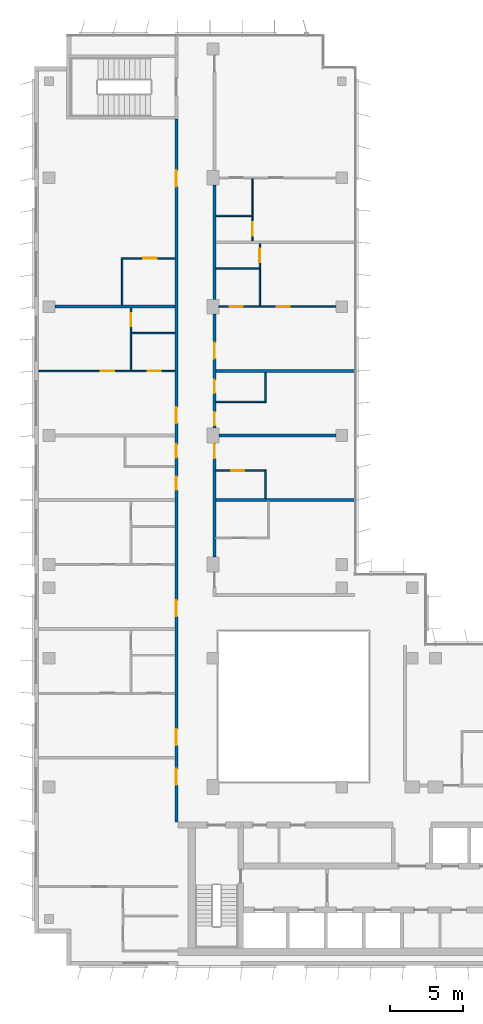
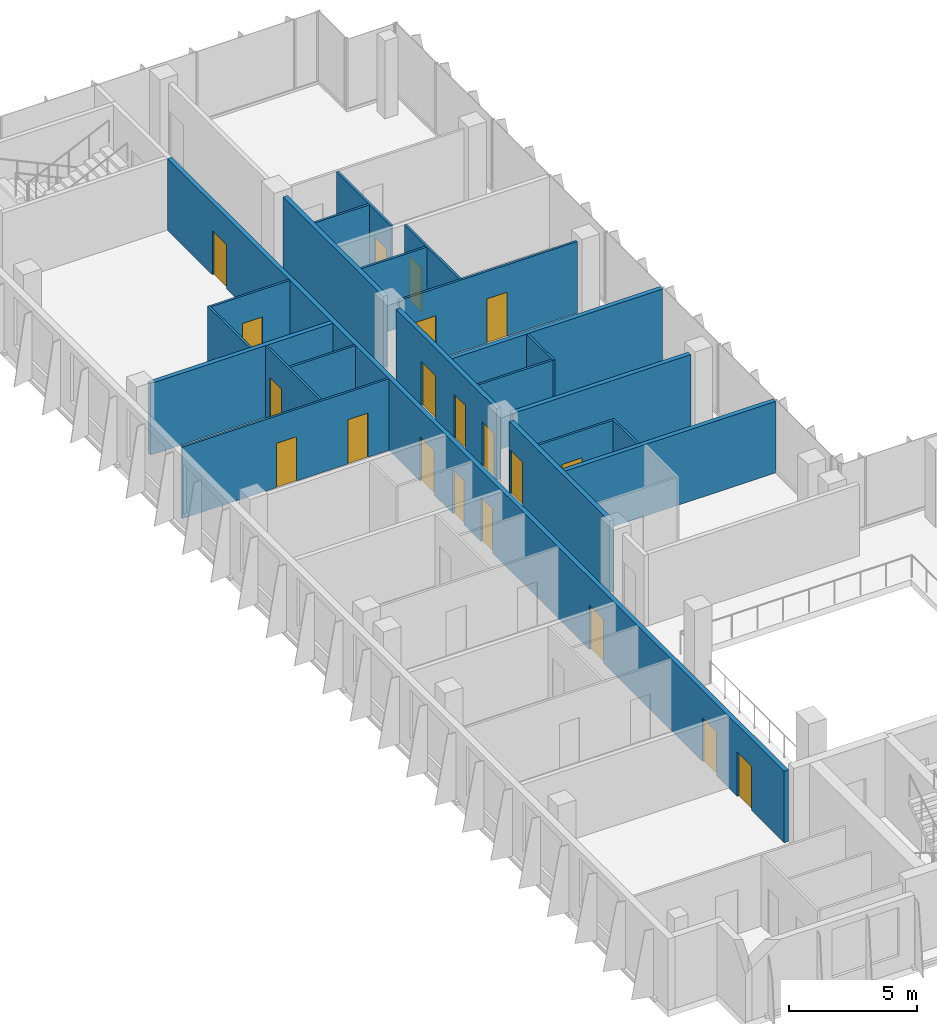
# One storey, part 12 of 16: 22 walls, 20 doors, 20 openings.
"""IFC4 building model written with IfcOpenShell, lengths in metres."""

import ifcopenshell
import ifcopenshell.guid

model = None  # the IFC model being written
_history = None  # IfcOwnerHistory: only IFC2X3 demands one
_inside = {}  # id of a spatial element -> (the spatial element, [elements in it])
_under = {}  # id of a project, library or spatial element -> (it, [spatial elements below it])
_declared = {}  # id of a project -> (the project, [libraries it declares])
_typed = {}  # id of a type object -> (the type object, [elements of that type])
_made_of = {}  # id of a material, layer set ... -> (it, [elements and type objects made of it])


def new_model(schema):
    """Start an empty IFC model of exactly this schema.

    Asked for "IFC4X3", IfcOpenShell would pick the latest addendum, in which some entities
    have other attributes; the version numbers below select the first issue.
    IFC2X3 requires an IfcOwnerHistory on every rooted entity: one is made here for all.
    """
    global model, _history
    if schema == "IFC4X3":
        model = ifcopenshell.file(schema_version=(4, 3, 0, 0))
    else:
        model = ifcopenshell.file(schema=schema)
    _inside.clear()
    _under.clear()
    _declared.clear()
    _typed.clear()
    _made_of.clear()
    _history = None
    if model.schema == "IFC2X3":
        org = make("IfcOrganization", Name="unknown")
        user = make(
            "IfcPersonAndOrganization",
            ThePerson=make("IfcPerson", FamilyName="unknown"),
            TheOrganization=org,
        )
        app = make(
            "IfcApplication",
            ApplicationDeveloper=org,
            Version="unknown",
            ApplicationFullName="unknown",
            ApplicationIdentifier="unknown",
        )
        _history = make(
            "IfcOwnerHistory",
            OwningUser=user,
            OwningApplication=app,
            ChangeAction="ADDED",
            CreationDate=0,
        )
    return model


def make(cls, **values):
    """One entity of the class cls with the attributes given. An attribute that is None is left unset."""
    return model.create_entity(
        cls, **{name: value for name, value in values.items() if value is not None}
    )


def rooted(cls, **values):
    """An entity with a GlobalId (a new one), such as an element, a storey or a relation."""
    return make(cls, GlobalId=ifcopenshell.guid.new(), OwnerHistory=_history, **values)


def si_unit(unit_type, name, prefix=None):
    """IfcSIUnit, for example si_unit("LENGTHUNIT", "METRE", prefix="MILLI")."""
    return make("IfcSIUnit", UnitType=unit_type, Prefix=prefix, Name=name)


def assignment(units):
    """IfcUnitAssignment: the units of a project."""
    return None if units is None else make("IfcUnitAssignment", Units=units)


def point(xyz):
    """IfcCartesianPoint."""
    return None if xyz is None else make("IfcCartesianPoint", Coordinates=xyz)


def direction(xyz):
    """IfcDirection."""
    return None if xyz is None else make("IfcDirection", DirectionRatios=xyz)


def frame(location, z_axis=None, x_axis=None):
    """IfcAxis2Placement3D, a coordinate frame: its origin and axes. An axis left out is left unset."""
    return make(
        "IfcAxis2Placement3D",
        Location=point(location),
        Axis=direction(z_axis),
        RefDirection=direction(x_axis),
    )


def frame_2d(location, x_axis=None):
    """IfcAxis2Placement2D, a coordinate frame in the plane: its origin and x axis."""
    return make(
        "IfcAxis2Placement2D", Location=point(location), RefDirection=direction(x_axis)
    )


def origin():
    """The frame at (0, 0, 0) with its axes left unset."""
    return frame((0.0, 0.0, 0.0))


def place(relative_to, where):
    """IfcLocalPlacement: puts the frame where relative to a parent placement (None: the world)."""
    return make(
        "IfcLocalPlacement", PlacementRelTo=relative_to, RelativePlacement=where
    )


def context(
    kind, dimensions, precision=None, world=None, true_north=None, identifier=None
):
    """IfcGeometricRepresentationContext, for example the 3D "Model" context."""
    return make(
        "IfcGeometricRepresentationContext",
        ContextIdentifier=identifier,
        ContextType=kind,
        CoordinateSpaceDimension=dimensions,
        Precision=precision,
        WorldCoordinateSystem=world,
        TrueNorth=true_north,
    )


def subcontext(parent, identifier, kind, view, scale=None):
    """IfcGeometricRepresentationSubContext, for example "Body" below "Model"."""
    return make(
        "IfcGeometricRepresentationSubContext",
        ContextIdentifier=identifier,
        ContextType=kind,
        ParentContext=parent,
        TargetScale=scale,
        TargetView=view,
    )


def project(units=None, contexts=None):
    """IfcProject with its units and contexts."""
    return rooted(
        "IfcProject",
        Name="project",
        RepresentationContexts=contexts,
        UnitsInContext=assignment(units),
    )


def spatial(cls, under=None, at=None, **own):
    """A site, building, storey or space (cls), placed at a placement, below another one or the project."""
    s = rooted(cls, ObjectPlacement=at, **own)
    if under is not None:
        _under.setdefault(under.id(), (under, []))[1].append(s)
    return s


def profile(cls, at=None, kind="AREA", **sizes):
    """A parametric profile (cls). Its sizes go by their IFC names, for example OverallWidth=200.0."""
    return make(cls, ProfileType=kind, Position=at, **sizes)


def rectangle(**sizes):
    """IfcRectangleProfileDef."""
    return profile("IfcRectangleProfileDef", **sizes)


def extrude(swept, where, along, depth):
    """IfcExtrudedAreaSolid: the profile swept, set in the frame where, extruded along a direction by depth."""
    return make(
        "IfcExtrudedAreaSolid",
        SweptArea=swept,
        Position=where,
        ExtrudedDirection=direction(along),
        Depth=depth,
    )


def shape(context_of_items, identifier, shape_type, items):
    """IfcShapeRepresentation: the items that make up one representation, for example the "Body"."""
    return make(
        "IfcShapeRepresentation",
        ContextOfItems=context_of_items,
        RepresentationIdentifier=identifier,
        RepresentationType=shape_type,
        Items=items,
    )


def material(Name=None, Category=None):
    """IfcMaterial."""
    return make("IfcMaterial", Name=Name, Category=Category)


def layer(
    of_material, thickness, ventilated=None, Name=None, Category=None, Priority=None
):
    """IfcMaterialLayer: one layer of a wall or slab, of a material (None: an air gap)."""
    return make(
        "IfcMaterialLayer",
        Material=of_material,
        LayerThickness=thickness,
        IsVentilated=ventilated,
        Name=Name,
        Category=Category,
        Priority=Priority,
    )


def layer_set(layers, Name=None):
    """IfcMaterialLayerSet."""
    return make("IfcMaterialLayerSet", MaterialLayers=layers, LayerSetName=Name)


def made_of(thing, what):
    """Note that an element or type object is made of a material, layer set ...; save() writes the relation."""
    if what is not None:
        _made_of.setdefault(what.id(), (what, []))[1].append(thing)
    return thing


def type_object(cls, material=None, **own):
    """A type object (cls), such as IfcWallType, which elements share."""
    return made_of(rooted(cls, **own), material)


def element(
    cls,
    number,
    at=None,
    inside=None,
    cuts=None,
    type_object=None,
    material=None,
    context=None,
    identifier="Body",
    shape_type=None,
    held_by="IfcProductDefinitionShape",
    body=None,
    shapes=None,
    **own,
):
    """One element of the class cls, such as IfcWall. Its Tag is "e" and its number.

    at: its placement. inside: the storey or other place that contains it. cuts: it is an
    opening in that element (IfcRelVoidsElement). A single representation is given by context,
    identifier, shape_type and body (its items); several are given by shapes. held_by: the class
    of the entity that holds the representations. save() writes the other relations.
    """
    e = rooted(cls, Tag="e%d" % number, ObjectPlacement=at, **own)
    if body is not None:
        shapes = [shape(context, identifier, shape_type, body)]
    if shapes is not None:
        e.Representation = make(held_by, Representations=shapes)
    if inside is not None:
        _inside.setdefault(inside.id(), (inside, []))[1].append(e)
    if cuts is not None:
        rooted(
            "IfcRelVoidsElement", RelatingBuildingElement=cuts, RelatedOpeningElement=e
        )
    if type_object is not None:
        _typed.setdefault(type_object.id(), (type_object, []))[1].append(e)
    return made_of(e, material)


def fill(opening, filler):
    """IfcRelFillsElement: the door or window that sits in an opening."""
    return rooted(
        "IfcRelFillsElement",
        RelatingOpeningElement=opening,
        RelatedBuildingElement=filler,
    )


def aggregate(whole, parts):
    """IfcRelAggregates: a whole, such as a stair, and the parts it consists of."""
    return rooted("IfcRelAggregates", RelatingObject=whole, RelatedObjects=parts)


def save(model, path):
    """Write the relations noted so far, then the file.

    IfcRelAggregates (storeys below a building ...), IfcRelContainedInSpatialStructure (elements
    in a storey), IfcRelDefinesByType, IfcRelAssociatesMaterial and IfcRelDeclares: one each for
    every whole, place, type object, material and project.
    """
    for whole, parts in _under.values():
        aggregate(whole, parts)
    for where, things in _inside.values():
        rooted(
            "IfcRelContainedInSpatialStructure",
            RelatedElements=things,
            RelatingStructure=where,
        )
    for kind, things in _typed.values():
        rooted("IfcRelDefinesByType", RelatedObjects=things, RelatingType=kind)
    for what, things in _made_of.values():
        rooted("IfcRelAssociatesMaterial", RelatedObjects=things, RelatingMaterial=what)
    for by, libraries in _declared.values():
        rooted("IfcRelDeclares", RelatingContext=by, RelatedDefinitions=libraries)
    model.write(path)


model = new_model("IFC4")

# Units and contexts
model_context = context("Model", 3, precision=1e-05, world=origin(), true_north=direction((0.0, 1.0)))
body_context = subcontext(model_context, "Body", "Model", "MODEL_VIEW")
ifc_project = project(units=[si_unit("LENGTHUNIT", "METRE"), si_unit("AREAUNIT", "SQUARE_METRE"), si_unit("VOLUMEUNIT", "CUBIC_METRE"), si_unit("PLANEANGLEUNIT", "RADIAN"), si_unit("MASSUNIT", "GRAM", prefix="KILO")], contexts=[model_context])

# Site, building, storey
site_placement = place(None, origin())
site = spatial("IfcSite", under=ifc_project, at=site_placement, CompositionType="ELEMENT")
building_placement = place(site_placement, origin())
building = spatial("IfcBuilding", under=site, at=building_placement, Name="Kemantara Hotel Tower", CompositionType="ELEMENT")
storey_placement = place(building_placement, frame((0.0, 0.0, 287.0)))
storey = spatial("IfcBuildingStorey", under=building, at=storey_placement, Name="L72", CompositionType="ELEMENT", Elevation=287.0)

# Wall, openings, doors
ifc_material_1 = material(Name="Gypsum board partition, steel studs and mineral wool, 200 mm", Category="steel")
ifc_layer_1 = layer(ifc_material_1, 0.199951171875)
ifc_layer_set_1 = layer_set([ifc_layer_1], Name="Gypsum board partition, steel studs and mineral wool, 200 mm")
wall_type_1 = type_object("IfcWallType", Name="CORRIDOR WALL 200", PredefinedType="PARTITIONING", material=ifc_layer_set_1)
wall_1_placement = place(storey_placement, frame((9.699951171875, 9.800048828125, 0.0), z_axis=(0.0, 0.0, 1.0), x_axis=(0.0, 1.0, 0.0)))
wall_1 = element("IfcWall", 1, at=wall_1_placement, inside=storey, type_object=wall_type_1, Name="CORRIDOR WALL 200 007", PredefinedType="PARTITIONING", context=body_context, shape_type="SweptSolid", body=[
    extrude(rectangle(XDim=48.0, YDim=0.199951171875, at=frame_2d((24.0, 0.0))), origin(), (0.0, 0.0, 1.0), 3.39990234375),
])
opening_1_placement = place(wall_1_placement, frame((2.550048828125, 0.0, 0.0)))
opening_1 = element("IfcOpeningElement", 2, at=opening_1_placement, cuts=wall_1, Name="Opening F35-009", PredefinedType="OPENING", context=body_context, shape_type="SweptSolid", body=[
    extrude(rectangle(XDim=1.10009765625, YDim=2.10009765625, at=frame_2d((0.550048828125, 1.050048828125))), frame((0.0, 0.10986328125, 0.0), z_axis=(0.0, -1.0, 0.0), x_axis=(1.0, 0.0, 0.0)), (0.0, 0.0, 1.0), 0.219970703125),
])
opening_2_placement = place(wall_1_placement, frame((5.25, 0.0, 0.0)))
opening_2 = element("IfcOpeningElement", 3, at=opening_2_placement, cuts=wall_1, Name="Opening F35-013", PredefinedType="OPENING", context=body_context, shape_type="SweptSolid", body=[
    extrude(rectangle(XDim=1.10009765625, YDim=2.10009765625, at=frame_2d((0.550048828125, 1.050048828125))), frame((0.0, 0.10986328125, 0.0), z_axis=(0.0, -1.0, 0.0), x_axis=(1.0, 0.0, 0.0)), (0.0, 0.0, 1.0), 0.219970703125),
])
opening_3_placement = place(wall_1_placement, frame((14.050048828125, 0.0, 0.0)))
opening_3 = element("IfcOpeningElement", 4, at=opening_3_placement, cuts=wall_1, Name="Opening F35-017", PredefinedType="OPENING", context=body_context, shape_type="SweptSolid", body=[
    extrude(rectangle(XDim=1.10009765625, YDim=2.10009765625, at=frame_2d((0.550048828125, 1.050048828125))), frame((0.0, 0.10986328125, 0.0), z_axis=(0.0, -1.0, 0.0), x_axis=(1.0, 0.0, 0.0)), (0.0, 0.0, 1.0), 0.219970703125),
])
opening_4_placement = place(wall_1_placement, frame((22.699951171875, 0.0, 0.0)))
opening_4 = element("IfcOpeningElement", 5, at=opening_4_placement, cuts=wall_1, Name="Opening F35-021", PredefinedType="OPENING", context=body_context, shape_type="SweptSolid", body=[
    extrude(rectangle(XDim=0.89990234375, YDim=2.10009765625, at=frame_2d((0.449951171875, 1.050048828125))), frame((0.0, 0.10986328125, 0.0), z_axis=(0.0, -1.0, 0.0), x_axis=(1.0, 0.0, 0.0)), (0.0, 0.0, 1.0), 0.219970703125),
])
opening_5_placement = place(wall_1_placement, frame((24.89990234375, 0.0, 0.0)))
opening_5 = element("IfcOpeningElement", 6, at=opening_5_placement, cuts=wall_1, Name="Opening F35-022", PredefinedType="OPENING", context=body_context, shape_type="SweptSolid", body=[
    extrude(rectangle(XDim=0.89990234375, YDim=2.10009765625, at=frame_2d((0.449951171875, 1.050048828125))), frame((0.0, 0.10986328125, 0.0), z_axis=(0.0, -1.0, 0.0), x_axis=(1.0, 0.0, 0.0)), (0.0, 0.0, 1.0), 0.219970703125),
])
opening_6_placement = place(wall_1_placement, frame((27.25, 0.0, 0.0)))
opening_6 = element("IfcOpeningElement", 7, at=opening_6_placement, cuts=wall_1, Name="Opening F35-023", PredefinedType="OPENING", context=body_context, shape_type="SweptSolid", body=[
    extrude(rectangle(XDim=1.10009765625, YDim=2.10009765625, at=frame_2d((0.550048828125, 1.050048828125))), frame((0.0, 0.10986328125, 0.0), z_axis=(0.0, -1.0, 0.0), x_axis=(1.0, 0.0, 0.0)), (0.0, 0.0, 1.0), 0.219970703125),
])
opening_7_placement = place(wall_1_placement, frame((43.39990234375, 0.0, 0.0)))
opening_7 = element("IfcOpeningElement", 8, at=opening_7_placement, cuts=wall_1, Name="Opening F35-027", PredefinedType="OPENING", context=body_context, shape_type="SweptSolid", body=[
    extrude(rectangle(XDim=1.10009765625, YDim=2.10009765625, at=frame_2d((0.550048828125, 1.050048828125))), frame((0.0, 0.10986328125, 0.0), z_axis=(0.0, -1.0, 0.0), x_axis=(1.0, 0.0, 0.0)), (0.0, 0.0, 1.0), 0.219970703125),
])
ifc_material_2 = material(Name="Steel door leaf with steel frame", Category="steel")
door_type_1 = type_object("IfcDoorType", Name="SERVICE ROOM DOOR 900 X 2100 FD60", OperationType="NOTDEFINED", PredefinedType="DOOR", material=ifc_material_2)
door_1_placement = place(opening_4_placement, origin())
door_1 = element("IfcDoor", 9, at=door_1_placement, inside=storey, type_object=door_type_1, Name="SERVICE ROOM DOOR F35-021", OperationType="SINGLE_SWING_LEFT", OverallHeight=2.10009765625, OverallWidth=0.89990234375, PredefinedType="DOOR", context=body_context, shape_type="SweptSolid", body=[
    extrude(rectangle(XDim=0.89990234375, YDim=2.10009765625, at=frame_2d((0.449951171875, 1.050048828125))), frame((0.0, 0.02490234375, 0.0), z_axis=(0.0, -1.0, 0.0), x_axis=(1.0, 0.0, 0.0)), (0.0, 0.0, 1.0), 0.050048828125),
])
fill(opening_4, door_1)
door_2_placement = place(opening_5_placement, origin())
door_2 = element("IfcDoor", 10, at=door_2_placement, inside=storey, type_object=door_type_1, Name="SERVICE ROOM DOOR F35-022", OperationType="SINGLE_SWING_RIGHT", OverallHeight=2.10009765625, OverallWidth=0.89990234375, PredefinedType="DOOR", context=body_context, shape_type="SweptSolid", body=[
    extrude(rectangle(XDim=0.89990234375, YDim=2.10009765625, at=frame_2d((0.449951171875, 1.050048828125))), frame((0.0, 0.02490234375, 0.0), z_axis=(0.0, -1.0, 0.0), x_axis=(1.0, 0.0, 0.0)), (0.0, 0.0, 1.0), 0.050048828125),
])
fill(opening_5, door_2)
ifc_material_3 = material(Name="Hardwood veneer door leaf with steel frame", Category="steel")
door_type_2 = type_object("IfcDoorType", Name="SUITE ENTRANCE DOOR 1100 X 2100 FD30S", OperationType="NOTDEFINED", PredefinedType="DOOR", material=ifc_material_3)
door_3_placement = place(opening_1_placement, origin())
door_3 = element("IfcDoor", 11, at=door_3_placement, inside=storey, type_object=door_type_2, Name="SUITE ENTRANCE DOOR F35-009", OperationType="SINGLE_SWING_RIGHT", OverallHeight=2.10009765625, OverallWidth=1.10009765625, PredefinedType="DOOR", context=body_context, shape_type="SweptSolid", body=[
    extrude(rectangle(XDim=1.10009765625, YDim=2.10009765625, at=frame_2d((0.550048828125, 1.050048828125))), frame((0.0, 0.02490234375, 0.0), z_axis=(0.0, -1.0, 0.0), x_axis=(1.0, 0.0, 0.0)), (0.0, 0.0, 1.0), 0.050048828125),
])
fill(opening_1, door_3)
door_4_placement = place(opening_2_placement, origin())
door_4 = element("IfcDoor", 12, at=door_4_placement, inside=storey, type_object=door_type_2, Name="SUITE ENTRANCE DOOR F35-013", OperationType="SINGLE_SWING_LEFT", OverallHeight=2.10009765625, OverallWidth=1.10009765625, PredefinedType="DOOR", context=body_context, shape_type="SweptSolid", body=[
    extrude(rectangle(XDim=1.10009765625, YDim=2.10009765625, at=frame_2d((0.550048828125, 1.050048828125))), frame((0.0, 0.02490234375, 0.0), z_axis=(0.0, -1.0, 0.0), x_axis=(1.0, 0.0, 0.0)), (0.0, 0.0, 1.0), 0.050048828125),
])
fill(opening_2, door_4)
door_5_placement = place(opening_3_placement, origin())
door_5 = element("IfcDoor", 13, at=door_5_placement, inside=storey, type_object=door_type_2, Name="SUITE ENTRANCE DOOR F35-017", OperationType="SINGLE_SWING_LEFT", OverallHeight=2.10009765625, OverallWidth=1.10009765625, PredefinedType="DOOR", context=body_context, shape_type="SweptSolid", body=[
    extrude(rectangle(XDim=1.10009765625, YDim=2.10009765625, at=frame_2d((0.550048828125, 1.050048828125))), frame((0.0, 0.02490234375, 0.0), z_axis=(0.0, -1.0, 0.0), x_axis=(1.0, 0.0, 0.0)), (0.0, 0.0, 1.0), 0.050048828125),
])
fill(opening_3, door_5)
door_6_placement = place(opening_6_placement, origin())
door_6 = element("IfcDoor", 14, at=door_6_placement, inside=storey, type_object=door_type_2, Name="SUITE ENTRANCE DOOR F35-023", OperationType="SINGLE_SWING_LEFT", OverallHeight=2.10009765625, OverallWidth=1.10009765625, PredefinedType="DOOR", context=body_context, shape_type="SweptSolid", body=[
    extrude(rectangle(XDim=1.10009765625, YDim=2.10009765625, at=frame_2d((0.550048828125, 1.050048828125))), frame((0.0, 0.02490234375, 0.0), z_axis=(0.0, -1.0, 0.0), x_axis=(1.0, 0.0, 0.0)), (0.0, 0.0, 1.0), 0.050048828125),
])
fill(opening_6, door_6)
door_7_placement = place(opening_7_placement, origin())
door_7 = element("IfcDoor", 15, at=door_7_placement, inside=storey, type_object=door_type_2, Name="SUITE ENTRANCE DOOR F35-027", OperationType="SINGLE_SWING_RIGHT", OverallHeight=2.10009765625, OverallWidth=1.10009765625, PredefinedType="DOOR", context=body_context, shape_type="SweptSolid", body=[
    extrude(rectangle(XDim=1.10009765625, YDim=2.10009765625, at=frame_2d((0.550048828125, 1.050048828125))), frame((0.0, 0.02490234375, 0.0), z_axis=(0.0, -1.0, 0.0), x_axis=(1.0, 0.0, 0.0)), (0.0, 0.0, 1.0), 0.050048828125),
])
fill(opening_7, door_7)

# Wall, opening, door
wall_2_placement = place(storey_placement, frame((12.300048828125, 35.699951171875, 0.0), z_axis=(0.0, 0.0, 1.0), x_axis=(0.0, -1.0, 0.0)))
wall_2 = element("IfcWall", 16, at=wall_2_placement, inside=storey, type_object=wall_type_1, Name="CORRIDOR WALL 200 017", PredefinedType="PARTITIONING", context=body_context, shape_type="SweptSolid", body=[
    extrude(rectangle(XDim=7.7998046875, YDim=0.199951171875, at=frame_2d((3.89990234375, 0.0))), origin(), (0.0, 0.0, 1.0), 3.39990234375),
])
opening_8_placement = place(wall_2_placement, frame((0.0498046875, 0.0, 0.0)))
opening_8 = element("IfcOpeningElement", 17, at=opening_8_placement, cuts=wall_2, Name="Opening F35-031", PredefinedType="OPENING", context=body_context, shape_type="SweptSolid", body=[
    extrude(rectangle(XDim=1.0, YDim=2.10009765625, at=frame_2d((0.5, 1.050048828125))), frame((0.0, 0.10986328125, 0.0), z_axis=(0.0, -1.0, 0.0), x_axis=(1.0, 0.0, 0.0)), (0.0, 0.0, 1.0), 0.219970703125),
])
door_type_3 = type_object("IfcDoorType", Name="GUEST ROOM DOOR 1000 X 2100 FD30S", OperationType="NOTDEFINED", PredefinedType="DOOR", material=ifc_material_3)
door_8_placement = place(opening_8_placement, origin())
door_8 = element("IfcDoor", 18, at=door_8_placement, inside=storey, type_object=door_type_3, Name="GUEST ROOM DOOR F35-031", OperationType="SINGLE_SWING_LEFT", OverallHeight=2.10009765625, OverallWidth=1.0, PredefinedType="DOOR", context=body_context, shape_type="SweptSolid", body=[
    extrude(rectangle(XDim=1.0, YDim=2.10009765625, at=frame_2d((0.5, 1.050048828125))), frame((0.0, 0.02490234375, 0.0), z_axis=(0.0, -1.0, 0.0), x_axis=(1.0, 0.0, 0.0)), (0.0, 0.0, 1.0), 0.050048828125),
])
fill(opening_8, door_8)

# Wall, openings, doors
wall_3_placement = place(storey_placement, frame((12.300048828125, 44.5, 0.0), z_axis=(0.0, 0.0, 1.0), x_axis=(0.0, -1.0, 0.0)))
wall_3 = element("IfcWall", 19, at=wall_3_placement, inside=storey, type_object=wall_type_1, Name="CORRIDOR WALL 200 018", PredefinedType="PARTITIONING", context=body_context, shape_type="SweptSolid", body=[
    extrude(rectangle(XDim=7.7998046875, YDim=0.199951171875, at=frame_2d((3.89990234375, 0.0))), origin(), (0.0, 0.0, 1.0), 3.39990234375),
])
opening_9_placement = place(wall_3_placement, frame((6.699951171875, 0.0, 0.0)))
opening_9 = element("IfcOpeningElement", 20, at=opening_9_placement, cuts=wall_3, Name="Opening F35-033", PredefinedType="OPENING", context=body_context, shape_type="SweptSolid", body=[
    extrude(rectangle(XDim=0.89990234375, YDim=2.10009765625, at=frame_2d((0.449951171875, 1.050048828125))), frame((0.0, 0.10986328125, 0.0), z_axis=(0.0, -1.0, 0.0), x_axis=(1.0, 0.0, 0.0)), (0.0, 0.0, 1.0), 0.219970703125),
])
opening_10_placement = place(wall_3_placement, frame((4.5, 0.0, 0.0)))
opening_10 = element("IfcOpeningElement", 21, at=opening_10_placement, cuts=wall_3, Name="Opening F35-034", PredefinedType="OPENING", context=body_context, shape_type="SweptSolid", body=[
    extrude(rectangle(XDim=0.89990234375, YDim=2.10009765625, at=frame_2d((0.449951171875, 1.050048828125))), frame((0.0, 0.10986328125, 0.0), z_axis=(0.0, -1.0, 0.0), x_axis=(1.0, 0.0, 0.0)), (0.0, 0.0, 1.0), 0.219970703125),
])
opening_11_placement = place(wall_3_placement, frame((1.949951171875, 0.0, 0.0)))
opening_11 = element("IfcOpeningElement", 22, at=opening_11_placement, cuts=wall_3, Name="Opening F35-035", PredefinedType="OPENING", context=body_context, shape_type="SweptSolid", body=[
    extrude(rectangle(XDim=1.10009765625, YDim=2.10009765625, at=frame_2d((0.550048828125, 1.050048828125))), frame((0.0, 0.10986328125, 0.0), z_axis=(0.0, -1.0, 0.0), x_axis=(1.0, 0.0, 0.0)), (0.0, 0.0, 1.0), 0.219970703125),
])
door_9_placement = place(opening_9_placement, origin())
door_9 = element("IfcDoor", 23, at=door_9_placement, inside=storey, type_object=door_type_1, Name="SERVICE ROOM DOOR F35-033", OperationType="SINGLE_SWING_RIGHT", OverallHeight=2.10009765625, OverallWidth=0.89990234375, PredefinedType="DOOR", context=body_context, shape_type="SweptSolid", body=[
    extrude(rectangle(XDim=0.89990234375, YDim=2.10009765625, at=frame_2d((0.449951171875, 1.050048828125))), frame((0.0, 0.02490234375, 0.0), z_axis=(0.0, -1.0, 0.0), x_axis=(1.0, 0.0, 0.0)), (0.0, 0.0, 1.0), 0.050048828125),
])
fill(opening_9, door_9)
door_10_placement = place(opening_10_placement, origin())
door_10 = element("IfcDoor", 24, at=door_10_placement, inside=storey, type_object=door_type_1, Name="SERVICE ROOM DOOR F35-034", OperationType="SINGLE_SWING_LEFT", OverallHeight=2.10009765625, OverallWidth=0.89990234375, PredefinedType="DOOR", context=body_context, shape_type="SweptSolid", body=[
    extrude(rectangle(XDim=0.89990234375, YDim=2.10009765625, at=frame_2d((0.449951171875, 1.050048828125))), frame((0.0, 0.02490234375, 0.0), z_axis=(0.0, -1.0, 0.0), x_axis=(1.0, 0.0, 0.0)), (0.0, 0.0, 1.0), 0.050048828125),
])
fill(opening_10, door_10)
door_11_placement = place(opening_11_placement, origin())
door_11 = element("IfcDoor", 25, at=door_11_placement, inside=storey, type_object=door_type_2, Name="SUITE ENTRANCE DOOR F35-035", OperationType="SINGLE_SWING_RIGHT", OverallHeight=2.10009765625, OverallWidth=1.10009765625, PredefinedType="DOOR", context=body_context, shape_type="SweptSolid", body=[
    extrude(rectangle(XDim=1.10009765625, YDim=2.10009765625, at=frame_2d((0.550048828125, 1.050048828125))), frame((0.0, 0.02490234375, 0.0), z_axis=(0.0, -1.0, 0.0), x_axis=(1.0, 0.0, 0.0)), (0.0, 0.0, 1.0), 0.050048828125),
])
fill(opening_11, door_11)

# Walls
wall_4_placement = place(storey_placement, frame((12.300048828125, 45.5, 0.0), z_axis=(0.0, 0.0, 1.0), x_axis=(0.0, 1.0, 0.0)))
element("IfcWall", 26, at=wall_4_placement, inside=storey, type_object=wall_type_1, Name="CORRIDOR WALL 200 019", PredefinedType="PARTITIONING", context=body_context, shape_type="SweptSolid", body=[
    extrude(rectangle(XDim=7.7998046875, YDim=0.199951171875, at=frame_2d((3.89990234375, 0.0))), origin(), (0.0, 0.0, 1.0), 3.39990234375),
])
ifc_layer_2 = layer(ifc_material_1, 0.199951171875)
ifc_layer_set_2 = layer_set([ifc_layer_2], Name="Gypsum board partition, steel studs and mineral wool, 200 mm")
wall_type_2 = type_object("IfcWallType", Name="GUEST ROOM PARTY WALL 200", PredefinedType="PARTITIONING", material=ifc_layer_set_2)
wall_5_placement = place(storey_placement, frame((12.39990234375, 31.800048828125, 0.0), z_axis=(0.0, 0.0, 1.0), x_axis=(1.0, 0.0, 0.0)))
element("IfcWall", 27, at=wall_5_placement, inside=storey, type_object=wall_type_2, Name="GUEST ROOM PARTY WALL 200 012", PredefinedType="PARTITIONING", context=body_context, shape_type="SweptSolid", body=[
    extrude(rectangle(XDim=9.47021484375, YDim=0.199951171875, at=frame_2d((4.735107421875, 0.0))), origin(), (0.0, 0.0, 1.0), 3.39990234375),
])
wall_6_placement = place(storey_placement, frame((12.60009765625, 36.199951171875, 0.0), z_axis=(0.0, 0.0, 1.0), x_axis=(1.0, 0.0, 0.0)))
element("IfcWall", 28, at=wall_6_placement, inside=storey, type_object=wall_type_2, Name="GUEST ROOM PARTY WALL 200 014", PredefinedType="PARTITIONING", context=body_context, shape_type="SweptSolid", body=[
    extrude(rectangle(XDim=7.999755859375, YDim=0.199951171875, at=frame_2d((4.0, 0.0))), origin(), (0.0, 0.0, 1.0), 3.39990234375),
])
wall_7_placement = place(storey_placement, frame((1.400146484375, 45.0, 0.0), z_axis=(0.0, 0.0, 1.0), x_axis=(1.0, 0.0, 0.0)))
element("IfcWall", 29, at=wall_7_placement, inside=storey, type_object=wall_type_2, Name="GUEST ROOM PARTY WALL 200 015", PredefinedType="PARTITIONING", context=body_context, shape_type="SweptSolid", body=[
    extrude(rectangle(XDim=8.199951171875, YDim=0.199951171875, at=frame_2d((4.10009765625, 0.0))), origin(), (0.0, 0.0, 1.0), 3.39990234375),
])
wall_8_placement = place(storey_placement, frame((12.39990234375, 40.60009765625, 0.0), z_axis=(0.0, 0.0, 1.0), x_axis=(1.0, 0.0, 0.0)))
element("IfcWall", 30, at=wall_8_placement, inside=storey, type_object=wall_type_2, Name="GUEST ROOM PARTY WALL 200 022", PredefinedType="PARTITIONING", context=body_context, shape_type="SweptSolid", body=[
    extrude(rectangle(XDim=9.47021484375, YDim=0.199951171875, at=frame_2d((4.735107421875, 0.0))), origin(), (0.0, 0.0, 1.0), 3.39990234375),
])

# Wall, opening, door
ifc_material_4 = material(Name="Gypsum board partition on steel studs, 100 mm", Category="steel")
ifc_layer_3 = layer(ifc_material_4, 0.10009765625)
ifc_layer_set_3 = layer_set([ifc_layer_3], Name="Gypsum board partition on steel studs, 100 mm")
wall_type_3 = type_object("IfcWallType", Name="ROOM PARTITION 100", PredefinedType="PARTITIONING", material=ifc_layer_set_3)
wall_9_placement = place(storey_placement, frame((6.60009765625, 44.89990234375, 0.0), z_axis=(0.0, 0.0, 1.0), x_axis=(0.0, -1.0, 0.0)))
wall_9 = element("IfcWall", 31, at=wall_9_placement, inside=storey, type_object=wall_type_3, Name="ROOM PARTITION 100 037", PredefinedType="PARTITIONING", context=body_context, shape_type="SweptSolid", body=[
    extrude(rectangle(XDim=4.25, YDim=0.10009765625, at=frame_2d((2.125, 0.0))), origin(), (0.0, 0.0, 1.0), 3.39990234375),
])
opening_12_placement = place(wall_9_placement, frame((0.35009765625, 0.0, 0.0)))
opening_12 = element("IfcOpeningElement", 32, at=opening_12_placement, cuts=wall_9, Name="Opening F35-026", PredefinedType="OPENING", context=body_context, shape_type="SweptSolid", body=[
    extrude(rectangle(XDim=0.89990234375, YDim=2.10009765625, at=frame_2d((0.449951171875, 1.050048828125))), frame((0.0, 0.06005859375, 0.0), z_axis=(0.0, -1.0, 0.0), x_axis=(1.0, 0.0, 0.0)), (0.0, 0.0, 1.0), 0.1201171875),
])
door_type_4 = type_object("IfcDoorType", Name="BATHROOM DOOR 900 X 2100", OperationType="NOTDEFINED", PredefinedType="DOOR", material=ifc_material_3)
door_12_placement = place(opening_12_placement, origin())
door_12 = element("IfcDoor", 33, at=door_12_placement, inside=storey, type_object=door_type_4, Name="BATHROOM DOOR F35-026", OperationType="SINGLE_SWING_RIGHT", OverallHeight=2.10009765625, OverallWidth=0.89990234375, PredefinedType="DOOR", context=body_context, shape_type="SweptSolid", body=[
    extrude(rectangle(XDim=0.89990234375, YDim=2.10009765625, at=frame_2d((0.449951171875, 1.050048828125))), frame((0.0, 0.02490234375, 0.0), z_axis=(0.0, -1.0, 0.0), x_axis=(1.0, 0.0, 0.0)), (0.0, 0.0, 1.0), 0.050048828125),
])
fill(opening_12, door_12)

# Wall, openings, doors
wall_10_placement = place(storey_placement, frame((0.31005859375, 40.60009765625, 0.0), z_axis=(0.0, 0.0, 1.0), x_axis=(1.0, 0.0, 0.0)))
wall_10 = element("IfcWall", 34, at=wall_10_placement, inside=storey, type_object=wall_type_3, Name="ROOM PARTITION 100 044", PredefinedType="PARTITIONING", context=body_context, shape_type="SweptSolid", body=[
    extrude(rectangle(XDim=9.2900390625, YDim=0.10009765625, at=frame_2d((4.64501953125, 0.0))), origin(), (0.0, 0.0, 1.0), 3.39990234375),
])
opening_13_placement = place(wall_10_placement, frame((7.43994140625, 0.0, 0.0)))
opening_13 = element("IfcOpeningElement", 35, at=opening_13_placement, cuts=wall_10, Name="Opening F35-024", PredefinedType="OPENING", context=body_context, shape_type="SweptSolid", body=[
    extrude(rectangle(XDim=0.89990234375, YDim=2.10009765625, at=frame_2d((0.449951171875, 1.050048828125))), frame((0.0, 0.06005859375, 0.0), z_axis=(0.0, -1.0, 0.0), x_axis=(1.0, 0.0, 0.0)), (0.0, 0.0, 1.0), 0.1201171875),
])
opening_14_placement = place(wall_10_placement, frame((4.239990234375, 0.0, 0.0)))
opening_14 = element("IfcOpeningElement", 36, at=opening_14_placement, cuts=wall_10, Name="Opening F35-025", PredefinedType="OPENING", context=body_context, shape_type="SweptSolid", body=[
    extrude(rectangle(XDim=0.89990234375, YDim=2.10009765625, at=frame_2d((0.449951171875, 1.050048828125))), frame((0.0, 0.06005859375, 0.0), z_axis=(0.0, -1.0, 0.0), x_axis=(1.0, 0.0, 0.0)), (0.0, 0.0, 1.0), 0.1201171875),
])
door_type_5 = type_object("IfcDoorType", Name="INTERNAL DOOR 900 X 2100", OperationType="NOTDEFINED", PredefinedType="DOOR", material=ifc_material_3)
door_13_placement = place(opening_14_placement, origin())
door_13 = element("IfcDoor", 37, at=door_13_placement, inside=storey, type_object=door_type_5, Name="INTERNAL DOOR F35-025", OperationType="SINGLE_SWING_RIGHT", OverallHeight=2.10009765625, OverallWidth=0.89990234375, PredefinedType="DOOR", context=body_context, shape_type="SweptSolid", body=[
    extrude(rectangle(XDim=0.89990234375, YDim=2.10009765625, at=frame_2d((0.449951171875, 1.050048828125))), frame((0.0, 0.02490234375, 0.0), z_axis=(0.0, -1.0, 0.0), x_axis=(1.0, 0.0, 0.0)), (0.0, 0.0, 1.0), 0.050048828125),
])
fill(opening_14, door_13)
door_type_6 = type_object("IfcDoorType", Name="PANTRY DOOR 900 X 2100", OperationType="NOTDEFINED", PredefinedType="DOOR", material=ifc_material_3)
door_14_placement = place(opening_13_placement, frame((0.89990234375, 0.0, 0.0), z_axis=(0.0, 0.0, 1.0), x_axis=(-1.0, 0.0, 0.0)))
door_14 = element("IfcDoor", 38, at=door_14_placement, inside=storey, type_object=door_type_6, Name="PANTRY DOOR F35-024", OperationType="SINGLE_SWING_RIGHT", OverallHeight=2.10009765625, OverallWidth=0.89990234375, PredefinedType="DOOR", context=body_context, shape_type="SweptSolid", body=[
    extrude(rectangle(XDim=0.89990234375, YDim=2.10009765625, at=frame_2d((0.449951171875, 1.050048828125))), frame((0.0, 0.02490234375, 0.0), z_axis=(0.0, -1.0, 0.0), x_axis=(1.0, 0.0, 0.0)), (0.0, 0.0, 1.0), 0.050048828125),
])
fill(opening_13, door_14)

# Walls
wall_11_placement = place(storey_placement, frame((6.64990234375, 43.199951171875, 0.0), z_axis=(0.0, 0.0, 1.0), x_axis=(1.0, 0.0, 0.0)))
element("IfcWall", 39, at=wall_11_placement, inside=storey, type_object=wall_type_3, Name="ROOM PARTITION 100 045", PredefinedType="PARTITIONING", context=body_context, shape_type="SweptSolid", body=[
    extrude(rectangle(XDim=2.9501953125, YDim=0.10009765625, at=frame_2d((1.47509765625, 0.0))), origin(), (0.0, 0.0, 1.0), 3.39990234375),
])
wall_12_placement = place(storey_placement, frame((6.0, 45.10009765625, 0.0), z_axis=(0.0, 0.0, 1.0), x_axis=(0.0, 1.0, 0.0)))
element("IfcWall", 40, at=wall_12_placement, inside=storey, type_object=wall_type_3, Name="ROOM PARTITION 100 046", PredefinedType="PARTITIONING", context=body_context, shape_type="SweptSolid", body=[
    extrude(rectangle(XDim=3.25, YDim=0.10009765625, at=frame_2d((1.625, 0.0))), origin(), (0.0, 0.0, 1.0), 3.39990234375),
])

# Wall, opening, door
wall_13_placement = place(storey_placement, frame((9.60009765625, 48.300048828125, 0.0), z_axis=(0.0, 0.0, 1.0), x_axis=(-1.0, 0.0, 0.0)))
wall_13 = element("IfcWall", 41, at=wall_13_placement, inside=storey, type_object=wall_type_3, Name="ROOM PARTITION 100 047", PredefinedType="PARTITIONING", context=body_context, shape_type="SweptSolid", body=[
    extrude(rectangle(XDim=3.550048828125, YDim=0.10009765625, at=frame_2d((1.77490234375, 0.0))), origin(), (0.0, 0.0, 1.0), 3.39990234375),
])
opening_15_placement = place(wall_13_placement, frame((1.25, 0.0, 0.0)))
opening_15 = element("IfcOpeningElement", 42, at=opening_15_placement, cuts=wall_13, Name="Opening F35-028", PredefinedType="OPENING", context=body_context, shape_type="SweptSolid", body=[
    extrude(rectangle(XDim=0.89990234375, YDim=2.10009765625, at=frame_2d((0.449951171875, 1.050048828125))), frame((0.0, 0.06005859375, 0.0), z_axis=(0.0, -1.0, 0.0), x_axis=(1.0, 0.0, 0.0)), (0.0, 0.0, 1.0), 0.1201171875),
])
door_15_placement = place(opening_15_placement, origin())
door_15 = element("IfcDoor", 43, at=door_15_placement, inside=storey, type_object=door_type_4, Name="BATHROOM DOOR F35-028", OperationType="SINGLE_SWING_LEFT", OverallHeight=2.10009765625, OverallWidth=0.89990234375, PredefinedType="DOOR", context=body_context, shape_type="SweptSolid", body=[
    extrude(rectangle(XDim=0.89990234375, YDim=2.10009765625, at=frame_2d((0.449951171875, 1.050048828125))), frame((0.0, 0.02490234375, 0.0), z_axis=(0.0, -1.0, 0.0), x_axis=(1.0, 0.0, 0.0)), (0.0, 0.0, 1.0), 0.050048828125),
])
fill(opening_15, door_15)

# Walls
wall_14_placement = place(storey_placement, frame((15.800048828125, 31.89990234375, 0.0), z_axis=(0.0, 0.0, 1.0), x_axis=(0.0, 1.0, 0.0)))
element("IfcWall", 44, at=wall_14_placement, inside=storey, type_object=wall_type_3, Name="ROOM PARTITION 100 050", PredefinedType="PARTITIONING", context=body_context, shape_type="SweptSolid", body=[
    extrude(rectangle(XDim=1.9501953125, YDim=0.10009765625, at=frame_2d((0.97509765625, 0.0))), origin(), (0.0, 0.0, 1.0), 3.39990234375),
])
wall_15_placement = place(storey_placement, frame((15.800048828125, 38.449951171875, 0.0), z_axis=(0.0, 0.0, 1.0), x_axis=(0.0, 1.0, 0.0)))
element("IfcWall", 45, at=wall_15_placement, inside=storey, type_object=wall_type_3, Name="ROOM PARTITION 100 051", PredefinedType="PARTITIONING", context=body_context, shape_type="SweptSolid", body=[
    extrude(rectangle(XDim=2.050048828125, YDim=0.10009765625, at=frame_2d((1.02490234375, 0.0))), origin(), (0.0, 0.0, 1.0), 3.39990234375),
])

# Wall, opening, door
wall_16_placement = place(storey_placement, frame((15.75, 33.800048828125, 0.0), z_axis=(0.0, 0.0, 1.0), x_axis=(-1.0, 0.0, 0.0)))
wall_16 = element("IfcWall", 46, at=wall_16_placement, inside=storey, type_object=wall_type_3, Name="ROOM PARTITION 100 052", PredefinedType="PARTITIONING", context=body_context, shape_type="SweptSolid", body=[
    extrude(rectangle(XDim=3.35009765625, YDim=0.10009765625, at=frame_2d((1.675048828125, 0.0))), origin(), (0.0, 0.0, 1.0), 3.39990234375),
])
opening_16_placement = place(wall_16_placement, frame((1.39990234375, 0.0, 0.0)))
opening_16 = element("IfcOpeningElement", 47, at=opening_16_placement, cuts=wall_16, Name="Opening F35-032", PredefinedType="OPENING", context=body_context, shape_type="SweptSolid", body=[
    extrude(rectangle(XDim=0.89990234375, YDim=2.10009765625, at=frame_2d((0.449951171875, 1.050048828125))), frame((0.0, 0.06005859375, 0.0), z_axis=(0.0, -1.0, 0.0), x_axis=(1.0, 0.0, 0.0)), (0.0, 0.0, 1.0), 0.1201171875),
])
door_16_placement = place(opening_16_placement, origin())
door_16 = element("IfcDoor", 48, at=door_16_placement, inside=storey, type_object=door_type_4, Name="BATHROOM DOOR F35-032", OperationType="SINGLE_SWING_RIGHT", OverallHeight=2.10009765625, OverallWidth=0.89990234375, PredefinedType="DOOR", context=body_context, shape_type="SweptSolid", body=[
    extrude(rectangle(XDim=0.89990234375, YDim=2.10009765625, at=frame_2d((0.449951171875, 1.050048828125))), frame((0.0, 0.02490234375, 0.0), z_axis=(0.0, -1.0, 0.0), x_axis=(1.0, 0.0, 0.0)), (0.0, 0.0, 1.0), 0.050048828125),
])
fill(opening_16, door_16)

# Wall
wall_17_placement = place(storey_placement, frame((12.39990234375, 38.5, 0.0), z_axis=(0.0, 0.0, 1.0), x_axis=(1.0, 0.0, 0.0)))
element("IfcWall", 49, at=wall_17_placement, inside=storey, type_object=wall_type_3, Name="ROOM PARTITION 100 053", PredefinedType="PARTITIONING", context=body_context, shape_type="SweptSolid", body=[
    extrude(rectangle(XDim=3.35009765625, YDim=0.10009765625, at=frame_2d((1.675048828125, 0.0))), origin(), (0.0, 0.0, 1.0), 3.39990234375),
])

# Wall, opening, door
wall_18_placement = place(storey_placement, frame((15.39990234375, 45.050048828125, 0.0), z_axis=(0.0, 0.0, 1.0), x_axis=(0.0, 1.0, 0.0)))
wall_18 = element("IfcWall", 50, at=wall_18_placement, inside=storey, type_object=wall_type_3, Name="ROOM PARTITION 100 054", PredefinedType="PARTITIONING", context=body_context, shape_type="SweptSolid", body=[
    extrude(rectangle(XDim=4.25, YDim=0.10009765625, at=frame_2d((2.125, 0.0))), origin(), (0.0, 0.0, 1.0), 3.39990234375),
])
opening_17_placement = place(wall_18_placement, frame((3.0, 0.0, 0.0)))
opening_17 = element("IfcOpeningElement", 51, at=opening_17_placement, cuts=wall_18, Name="Opening F35-038", PredefinedType="OPENING", context=body_context, shape_type="SweptSolid", body=[
    extrude(rectangle(XDim=0.89990234375, YDim=2.10009765625, at=frame_2d((0.449951171875, 1.050048828125))), frame((0.0, 0.06005859375, 0.0), z_axis=(0.0, -1.0, 0.0), x_axis=(1.0, 0.0, 0.0)), (0.0, 0.0, 1.0), 0.1201171875),
])
door_17_placement = place(opening_17_placement, origin())
door_17 = element("IfcDoor", 52, at=door_17_placement, inside=storey, type_object=door_type_4, Name="BATHROOM DOOR F35-038", OperationType="SINGLE_SWING_LEFT", OverallHeight=2.10009765625, OverallWidth=0.89990234375, PredefinedType="DOOR", context=body_context, shape_type="SweptSolid", body=[
    extrude(rectangle(XDim=0.89990234375, YDim=2.10009765625, at=frame_2d((0.449951171875, 1.050048828125))), frame((0.0, 0.02490234375, 0.0), z_axis=(0.0, -1.0, 0.0), x_axis=(1.0, 0.0, 0.0)), (0.0, 0.0, 1.0), 0.050048828125),
])
fill(opening_17, door_17)

# Wall, openings, doors
wall_19_placement = place(storey_placement, frame((12.60009765625, 45.0, 0.0), z_axis=(0.0, 0.0, 1.0), x_axis=(1.0, 0.0, 0.0)))
wall_19 = element("IfcWall", 53, at=wall_19_placement, inside=storey, type_object=wall_type_3, Name="ROOM PARTITION 100 055", PredefinedType="PARTITIONING", context=body_context, shape_type="SweptSolid", body=[
    extrude(rectangle(XDim=7.999755859375, YDim=0.10009765625, at=frame_2d((4.0, 0.0))), origin(), (0.0, 0.0, 1.0), 3.39990234375),
])
opening_18_placement = place(wall_19_placement, frame((0.75, 0.0, 0.0)))
opening_18 = element("IfcOpeningElement", 54, at=opening_18_placement, cuts=wall_19, Name="Opening F35-036", PredefinedType="OPENING", context=body_context, shape_type="SweptSolid", body=[
    extrude(rectangle(XDim=0.89990234375, YDim=2.10009765625, at=frame_2d((0.449951171875, 1.050048828125))), frame((0.0, 0.06005859375, 0.0), z_axis=(0.0, -1.0, 0.0), x_axis=(1.0, 0.0, 0.0)), (0.0, 0.0, 1.0), 0.1201171875),
])
opening_19_placement = place(wall_19_placement, frame((3.949951171875, 0.0, 0.0)))
opening_19 = element("IfcOpeningElement", 55, at=opening_19_placement, cuts=wall_19, Name="Opening F35-037", PredefinedType="OPENING", context=body_context, shape_type="SweptSolid", body=[
    extrude(rectangle(XDim=0.89990234375, YDim=2.10009765625, at=frame_2d((0.449951171875, 1.050048828125))), frame((0.0, 0.06005859375, 0.0), z_axis=(0.0, -1.0, 0.0), x_axis=(1.0, 0.0, 0.0)), (0.0, 0.0, 1.0), 0.1201171875),
])
door_18_placement = place(opening_19_placement, origin())
door_18 = element("IfcDoor", 56, at=door_18_placement, inside=storey, type_object=door_type_5, Name="INTERNAL DOOR F35-037", OperationType="SINGLE_SWING_LEFT", OverallHeight=2.10009765625, OverallWidth=0.89990234375, PredefinedType="DOOR", context=body_context, shape_type="SweptSolid", body=[
    extrude(rectangle(XDim=0.89990234375, YDim=2.10009765625, at=frame_2d((0.449951171875, 1.050048828125))), frame((0.0, 0.02490234375, 0.0), z_axis=(0.0, -1.0, 0.0), x_axis=(1.0, 0.0, 0.0)), (0.0, 0.0, 1.0), 0.050048828125),
])
fill(opening_19, door_18)
door_19_placement = place(opening_18_placement, frame((0.89990234375, 0.0, 0.0), z_axis=(0.0, 0.0, 1.0), x_axis=(-1.0, 0.0, 0.0)))
door_19 = element("IfcDoor", 57, at=door_19_placement, inside=storey, type_object=door_type_6, Name="PANTRY DOOR F35-036", OperationType="SINGLE_SWING_LEFT", OverallHeight=2.10009765625, OverallWidth=0.89990234375, PredefinedType="DOOR", context=body_context, shape_type="SweptSolid", body=[
    extrude(rectangle(XDim=0.89990234375, YDim=2.10009765625, at=frame_2d((0.449951171875, 1.050048828125))), frame((0.0, 0.02490234375, 0.0), z_axis=(0.0, -1.0, 0.0), x_axis=(1.0, 0.0, 0.0)), (0.0, 0.0, 1.0), 0.050048828125),
])
fill(opening_18, door_19)

# Wall
wall_20_placement = place(storey_placement, frame((12.39990234375, 47.60009765625, 0.0), z_axis=(0.0, 0.0, 1.0), x_axis=(1.0, 0.0, 0.0)))
element("IfcWall", 58, at=wall_20_placement, inside=storey, type_object=wall_type_3, Name="ROOM PARTITION 100 056", PredefinedType="PARTITIONING", context=body_context, shape_type="SweptSolid", body=[
    extrude(rectangle(XDim=2.9501953125, YDim=0.10009765625, at=frame_2d((1.47509765625, 0.0))), origin(), (0.0, 0.0, 1.0), 3.39990234375),
])

# Wall, opening, door
wall_21_placement = place(storey_placement, frame((14.89990234375, 49.5, 0.0), z_axis=(0.0, 0.0, 1.0), x_axis=(0.0, 1.0, 0.0)))
wall_21 = element("IfcWall", 59, at=wall_21_placement, inside=storey, type_object=wall_type_3, Name="ROOM PARTITION 100 057", PredefinedType="PARTITIONING", context=body_context, shape_type="SweptSolid", body=[
    extrude(rectangle(XDim=4.25, YDim=0.10009765625, at=frame_2d((2.125, 0.0))), origin(), (0.0, 0.0, 1.0), 3.39990234375),
])
opening_20_placement = place(wall_21_placement, frame((0.35009765625, 0.0, 0.0)))
opening_20 = element("IfcOpeningElement", 60, at=opening_20_placement, cuts=wall_21, Name="Opening F35-042", PredefinedType="OPENING", context=body_context, shape_type="SweptSolid", body=[
    extrude(rectangle(XDim=0.89990234375, YDim=2.10009765625, at=frame_2d((0.449951171875, 1.050048828125))), frame((0.0, 0.06005859375, 0.0), z_axis=(0.0, -1.0, 0.0), x_axis=(1.0, 0.0, 0.0)), (0.0, 0.0, 1.0), 0.1201171875),
])
door_20_placement = place(opening_20_placement, origin())
door_20 = element("IfcDoor", 61, at=door_20_placement, inside=storey, type_object=door_type_4, Name="BATHROOM DOOR F35-042", OperationType="SINGLE_SWING_RIGHT", OverallHeight=2.10009765625, OverallWidth=0.89990234375, PredefinedType="DOOR", context=body_context, shape_type="SweptSolid", body=[
    extrude(rectangle(XDim=0.89990234375, YDim=2.10009765625, at=frame_2d((0.449951171875, 1.050048828125))), frame((0.0, 0.02490234375, 0.0), z_axis=(0.0, -1.0, 0.0), x_axis=(1.0, 0.0, 0.0)), (0.0, 0.0, 1.0), 0.050048828125),
])
fill(opening_20, door_20)

# Wall
wall_22_placement = place(storey_placement, frame((12.39990234375, 51.199951171875, 0.0), z_axis=(0.0, 0.0, 1.0), x_axis=(1.0, 0.0, 0.0)))
element("IfcWall", 62, at=wall_22_placement, inside=storey, type_object=wall_type_3, Name="ROOM PARTITION 100 059", PredefinedType="PARTITIONING", context=body_context, shape_type="SweptSolid", body=[
    extrude(rectangle(XDim=2.4501953125, YDim=0.10009765625, at=frame_2d((1.22509765625, 0.0))), origin(), (0.0, 0.0, 1.0), 3.39990234375),
])

save(model, "model.ifc")
